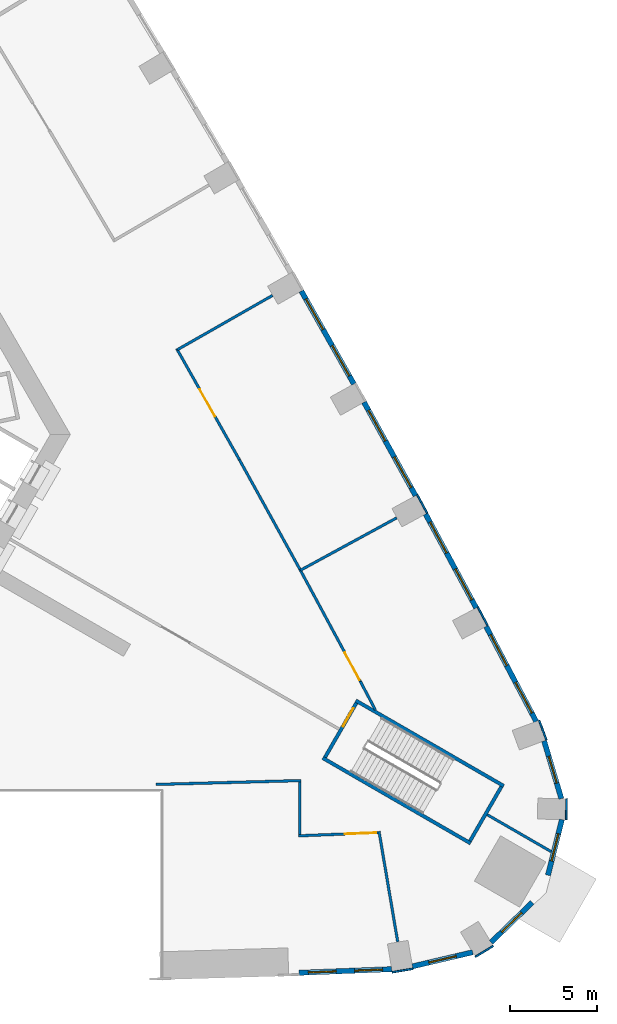
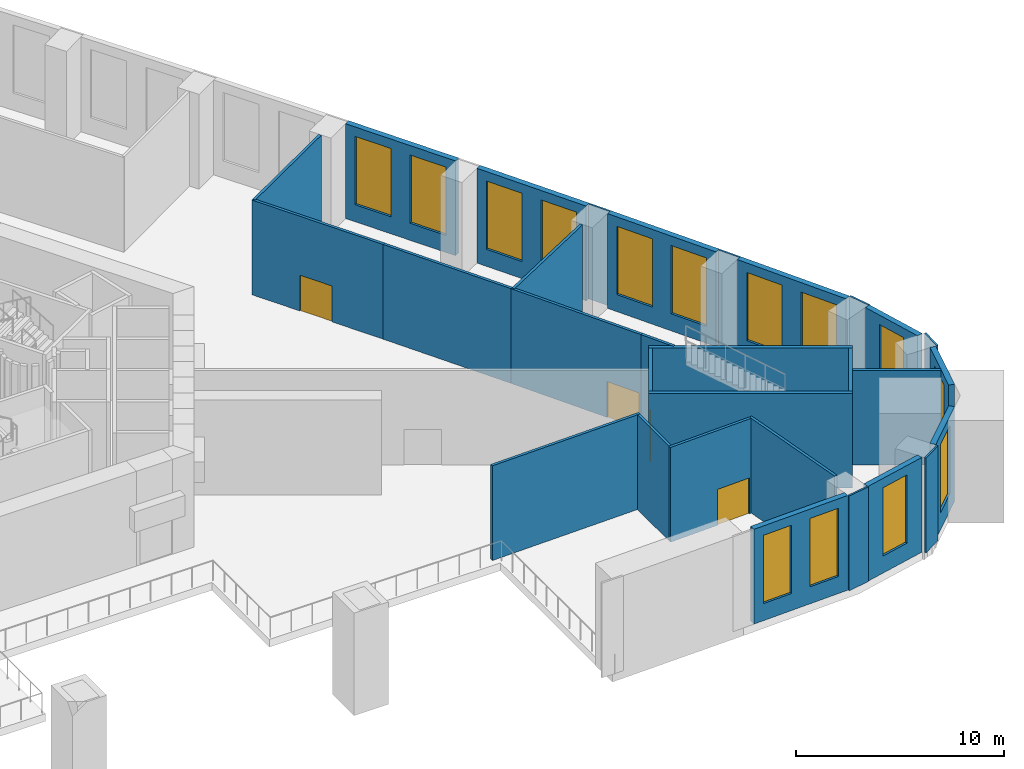
# One storey, part 7 of 15: 30 walls, 14 windows, 4 doors, 18 openings.
"""IFC4 building model written with IfcOpenShell, lengths in metres."""

from ifc_helpers import new_model, si_unit, direction, frame, frame_2d, origin, place, context, subcontext, project, spatial, rectangle, extrude, material, layer, layer_set, type_object, element, fill, save


model = new_model("IFC4")

# Units and contexts
model_context = context("Model", 3, precision=1e-05, world=origin(), true_north=direction((0.0, 1.0)))
body_context = subcontext(model_context, "Body", "Model", "MODEL_VIEW")
ifc_project = project(units=[si_unit("LENGTHUNIT", "METRE"), si_unit("AREAUNIT", "SQUARE_METRE"), si_unit("VOLUMEUNIT", "CUBIC_METRE"), si_unit("PLANEANGLEUNIT", "RADIAN"), si_unit("MASSUNIT", "GRAM", prefix="KILO")], contexts=[model_context])

# Site, building, storey
site_placement = place(None, origin())
site = spatial("IfcSite", under=ifc_project, at=site_placement, CompositionType="ELEMENT")
building_placement = place(site_placement, origin())
building = spatial("IfcBuilding", under=site, at=building_placement, Name="Entoto Arch Interchange Tower", CompositionType="ELEMENT")
storey_placement = place(building_placement, frame((0.0, 0.0, 9.0)))
storey = spatial("IfcBuildingStorey", under=building, at=storey_placement, Name="L01", CompositionType="ELEMENT", Elevation=9.0)

# Walls
ifc_material_1 = material(Name="Gypsum board partition on steel studs", Category="steel")
ifc_layer_1 = layer(ifc_material_1, 0.14990234375)
ifc_layer_set_1 = layer_set([ifc_layer_1], Name="Gypsum board partition on steel studs")
wall_type_1 = type_object("IfcWallType", Name="PARTITION 150", PredefinedType="PARTITIONING", material=ifc_layer_set_1)
wall_1_placement = place(storey_placement, frame((18.757080078125, -17.56494140625, 0.0), z_axis=(0.0, 0.0, 1.0), x_axis=(0.999650499667, 0.026436310543, 0.0)))
element("IfcWall", 1, at=wall_1_placement, inside=storey, type_object=wall_type_1, Name="wall:L01:p036", PredefinedType="PARTITIONING", context=body_context, shape_type="SweptSolid", body=[
    extrude(rectangle(XDim=8.32080078125, YDim=0.14990234375, at=frame_2d((4.160400390625, 0.0))), origin(), (0.0, 0.0, 1.0), 5.550048828125),
])
wall_2_placement = place(storey_placement, frame((27.0, -17.422119140625, 0.0), z_axis=(0.0, 0.0, 1.0), x_axis=(0.0, -1.0, 0.0)))
element("IfcWall", 2, at=wall_2_placement, inside=storey, type_object=wall_type_1, Name="wall:L01:p037", PredefinedType="PARTITIONING", context=body_context, shape_type="SweptSolid", body=[
    extrude(rectangle(XDim=3.011962890625, YDim=0.14990234375, at=frame_2d((1.505859375, 0.0))), origin(), (0.0, 0.0, 1.0), 5.550048828125),
])

# Wall, opening, door
wall_3_placement = place(storey_placement, frame((26.925048828125, -20.511962890625, 0.0), z_axis=(0.0, 0.0, 1.0), x_axis=(0.99923281192, 0.039163600211, 0.0)))
wall_3 = element("IfcWall", 3, at=wall_3_placement, inside=storey, type_object=wall_type_1, Name="wall:L01:p038", PredefinedType="PARTITIONING", context=body_context, shape_type="SweptSolid", body=[
    extrude(rectangle(XDim=4.5693359375, YDim=0.14990234375, at=frame_2d((2.28466796875, 0.0))), origin(), (0.0, 0.0, 1.0), 5.550048828125),
])
opening_1_placement = place(wall_3_placement, frame((2.669921875, 0.0, 0.0)))
opening_1 = element("IfcOpeningElement", 4, at=opening_1_placement, cuts=wall_3, Name="Opening L01-D05", PredefinedType="OPENING", context=body_context, shape_type="SweptSolid", body=[
    extrude(rectangle(XDim=1.800048828125, YDim=2.10009765625, at=frame_2d((0.89990234375, 1.050048828125))), frame((0.0, 0.0849609375, 0.0), z_axis=(0.0, -1.0, 0.0), x_axis=(1.0, 0.0, 0.0)), (0.0, 0.0, 1.0), 0.169921875),
])
ifc_material_2 = material(Name="Timber door leaf in Steel S235 frame", Category="steel")
door_type_1 = type_object("IfcDoorType", Name="DOOR DD-18 1800x2100", OperationType="DOUBLE_DOOR_SINGLE_SWING", PredefinedType="DOOR", material=ifc_material_2)
door_1_placement = place(opening_1_placement, origin())
door_1 = element("IfcDoor", 5, at=door_1_placement, inside=storey, type_object=door_type_1, Name="door:L01:05", OperationType="DOUBLE_DOOR_SINGLE_SWING", OverallHeight=2.10009765625, OverallWidth=1.800048828125, PredefinedType="DOOR", context=body_context, shape_type="SweptSolid", body=[
    extrude(rectangle(XDim=1.800048828125, YDim=2.10009765625, at=frame_2d((0.89990234375, 1.050048828125))), frame((0.0, 0.02490234375, 0.0), z_axis=(0.0, -1.0, 0.0), x_axis=(1.0, 0.0, 0.0)), (0.0, 0.0, 1.0), 0.050048828125),
])
fill(opening_1, door_1)

# Walls
wall_4_placement = place(storey_placement, frame((31.552978515625, -20.256103515625, 0.0), z_axis=(0.0, 0.0, 1.0), x_axis=(0.16693222012, -0.985968373674, 0.0)))
element("IfcWall", 6, at=wall_4_placement, inside=storey, type_object=wall_type_1, Name="wall:L01:p039", PredefinedType="PARTITIONING", context=body_context, shape_type="SweptSolid", body=[
    extrude(rectangle(XDim=6.421875, YDim=0.14990234375, at=frame_2d((3.2109375, 0.0))), origin(), (0.0, 0.0, 1.0), 5.550048828125),
])
wall_5_placement = place(storey_placement, frame((27.047119140625, -5.283935546875, 0.0), z_axis=(0.0, 0.0, 1.0), x_axis=(0.878278583626, 0.478149275377, 0.0)))
element("IfcWall", 7, at=wall_5_placement, inside=storey, type_object=wall_type_1, Name="wall:L01:p040", PredefinedType="PARTITIONING", context=body_context, shape_type="SweptSolid", body=[
    extrude(rectangle(XDim=6.2802734375, YDim=0.14990234375, at=frame_2d((3.14013671875, 0.0))), origin(), (0.0, 0.0, 1.0), 5.550048828125),
])
wall_6_placement = place(storey_placement, frame((41.427001953125, -21.41796875, 0.0), z_axis=(0.0, 0.0, 1.0), x_axis=(-0.866003200133, 0.500038455881, 0.0)))
element("IfcWall", 8, at=wall_6_placement, inside=storey, type_object=wall_type_1, Name="wall:L01:p041", PredefinedType="PARTITIONING", context=body_context, shape_type="SweptSolid", body=[
    extrude(rectangle(XDim=4.235595703125, YDim=0.14990234375, at=frame_2d((2.11767578125, 0.0))), origin(), (0.0, 0.0, 1.0), 5.550048828125),
])
wall_7_placement = place(storey_placement, frame((31.341064453125, -13.284912109375, 0.0), z_axis=(0.0, 0.0, 1.0), x_axis=(-0.466164290517, 0.884698171269, 0.0)))
element("IfcWall", 9, at=wall_7_placement, inside=storey, type_object=wall_type_1, Name="wall:L01:p042", PredefinedType="PARTITIONING", context=body_context, shape_type="SweptSolid", body=[
    extrude(rectangle(XDim=1.829833984375, YDim=0.14990234375, at=frame_2d((0.9150390625, 0.0))), origin(), (0.0, 0.0, 1.0), 5.550048828125),
])

# Wall, opening, door
wall_8_placement = place(storey_placement, frame((30.488037109375, -11.666015625, 0.0), z_axis=(0.0, 0.0, 1.0), x_axis=(-0.474672609217, 0.880162436178, 0.0)))
wall_8 = element("IfcWall", 10, at=wall_8_placement, inside=storey, type_object=wall_type_1, Name="wall:L01:p043", PredefinedType="PARTITIONING", context=body_context, shape_type="SweptSolid", body=[
    extrude(rectangle(XDim=7.319091796875, YDim=0.14990234375, at=frame_2d((3.65966796875, 0.0))), origin(), (0.0, 0.0, 1.0), 5.550048828125),
])
opening_2_placement = place(wall_8_placement, frame((0.10009765625, 0.0, 0.0)))
opening_2 = element("IfcOpeningElement", 11, at=opening_2_placement, cuts=wall_8, Name="Opening L01-D06", PredefinedType="OPENING", context=body_context, shape_type="SweptSolid", body=[
    extrude(rectangle(XDim=1.800048828125, YDim=2.10009765625, at=frame_2d((0.89990234375, 1.050048828125))), frame((0.0, 0.0849609375, 0.0), z_axis=(0.0, -1.0, 0.0), x_axis=(1.0, 0.0, 0.0)), (0.0, 0.0, 1.0), 0.169921875),
])
door_2_placement = place(opening_2_placement, origin())
door_2 = element("IfcDoor", 12, at=door_2_placement, inside=storey, type_object=door_type_1, Name="door:L01:06", OperationType="DOUBLE_DOOR_SINGLE_SWING", OverallHeight=2.10009765625, OverallWidth=1.800048828125, PredefinedType="DOOR", context=body_context, shape_type="SweptSolid", body=[
    extrude(rectangle(XDim=1.800048828125, YDim=2.10009765625, at=frame_2d((0.89990234375, 1.050048828125))), frame((0.0, 0.02490234375, 0.0), z_axis=(0.0, -1.0, 0.0), x_axis=(1.0, 0.0, 0.0)), (0.0, 0.0, 1.0), 0.050048828125),
])
fill(opening_2, door_2)

# Wall
wall_9_placement = place(storey_placement, frame((27.013916015625, -5.22412109375, 0.0), z_axis=(0.0, 0.0, 1.0), x_axis=(-0.483261020847, 0.875476319343, 0.0)))
element("IfcWall", 13, at=wall_9_placement, inside=storey, type_object=wall_type_1, Name="wall:L01:p044", PredefinedType="PARTITIONING", context=body_context, shape_type="SweptSolid", body=[
    extrude(rectangle(XDim=7.167724609375, YDim=0.14990234375, at=frame_2d((3.583984375, 0.0))), origin(), (0.0, 0.0, 1.0), 5.550048828125),
])

# Wall, opening, door
wall_10_placement = place(storey_placement, frame((23.550048828125, 1.051025390625, 0.0), z_axis=(0.0, 0.0, 1.0), x_axis=(-0.491584576708, 0.870829836388, 0.0)))
wall_10 = element("IfcWall", 14, at=wall_10_placement, inside=storey, type_object=wall_type_1, Name="wall:L01:p045", PredefinedType="PARTITIONING", context=body_context, shape_type="SweptSolid", body=[
    extrude(rectangle(XDim=7.319580078125, YDim=0.14990234375, at=frame_2d((3.65966796875, 0.0))), origin(), (0.0, 0.0, 1.0), 5.550048828125),
])
opening_3_placement = place(wall_10_placement, frame((2.843017578125, 0.0, 0.0)))
opening_3 = element("IfcOpeningElement", 15, at=opening_3_placement, cuts=wall_10, Name="Opening L01-D07", PredefinedType="OPENING", context=body_context, shape_type="SweptSolid", body=[
    extrude(rectangle(XDim=1.800048828125, YDim=2.10009765625, at=frame_2d((0.89990234375, 1.050048828125))), frame((0.0, 0.0849609375, 0.0), z_axis=(0.0, -1.0, 0.0), x_axis=(1.0, 0.0, 0.0)), (0.0, 0.0, 1.0), 0.169921875),
])
door_3_placement = place(opening_3_placement, origin())
door_3 = element("IfcDoor", 16, at=door_3_placement, inside=storey, type_object=door_type_1, Name="door:L01:07", OperationType="DOUBLE_DOOR_SINGLE_SWING", OverallHeight=2.10009765625, OverallWidth=1.800048828125, PredefinedType="DOOR", context=body_context, shape_type="SweptSolid", body=[
    extrude(rectangle(XDim=1.800048828125, YDim=2.10009765625, at=frame_2d((0.89990234375, 1.050048828125))), frame((0.0, 0.02490234375, 0.0), z_axis=(0.0, -1.0, 0.0), x_axis=(1.0, 0.0, 0.0)), (0.0, 0.0, 1.0), 0.050048828125),
])
fill(opening_3, door_3)

# Walls
wall_11_placement = place(storey_placement, frame((19.989013671875, 7.361083984375, 0.0), z_axis=(0.0, 0.0, 1.0), x_axis=(0.868573128473, 0.495561015914, 0.0)))
element("IfcWall", 17, at=wall_11_placement, inside=storey, type_object=wall_type_1, Name="wall:L01:p046", PredefinedType="PARTITIONING", context=body_context, shape_type="SweptSolid", body=[
    extrude(rectangle(XDim=6.279296875, YDim=0.14990234375, at=frame_2d((3.1396484375, 0.0))), origin(), (0.0, 0.0, 1.0), 5.550048828125),
])
ifc_material_3 = material(Name="Concrete C40/50", Category="concrete")
ifc_layer_2 = layer(ifc_material_3, 0.199951171875)
ifc_layer_set_2 = layer_set([ifc_layer_2], Name="Concrete C40/50")
wall_type_2 = type_object("IfcWallType", Name="STAIR ENCLOSURE WALL 200", PredefinedType="STANDARD", material=ifc_layer_set_2)
for number, where, z_axis, x_axis, name in (
    (18, (28.322021484375, -16.044921875, 0.0), (0.0, 0.0, 1.0), (0.866019227021, -0.500010698315, 0.0), "Stair wall PST-SE left"),
    (19, (30.221923828125, -12.7548828125, 0.0), (0.0, 0.0, 1.0), (0.866019227021, -0.500010698315, 0.0), "Stair wall PST-SE right"),
):
    element("IfcWall", number, at=place(storey_placement, frame(where, z_axis=z_axis, x_axis=x_axis)), inside=storey, type_object=wall_type_2, Name=name, PredefinedType="STANDARD", context=body_context, shape_type="SweptSolid", body=[
        extrude(rectangle(XDim=9.800048828125, YDim=0.199951171875, at=frame_2d((4.89990234375, 0.0))), origin(), (0.0, 0.0, 1.0), 5.550048828125),
    ])

# Wall, opening, door
wall_12_placement = place(storey_placement, frame((28.4580078125, -16.009033203125, 0.0), z_axis=(0.0, 0.0, 1.0), x_axis=(0.499982693035, 0.866035395735, 0.0)))
wall_12 = element("IfcWall", 20, at=wall_12_placement, inside=storey, type_object=wall_type_2, Name="Stair wall PST-SE near", PredefinedType="STANDARD", context=body_context, shape_type="SweptSolid", body=[
    extrude(rectangle(XDim=3.600341796875, YDim=0.199951171875, at=frame_2d((1.80029296875, 0.0))), origin(), (0.0, 0.0, 1.0), 5.550048828125),
])
opening_4_placement = place(wall_12_placement, frame((2.050048828125, 0.0, 0.0)))
opening_4 = element("IfcOpeningElement", 21, at=opening_4_placement, cuts=wall_12, Name="Opening SD-PST-SE-L01", PredefinedType="OPENING", context=body_context, shape_type="SweptSolid", body=[
    extrude(rectangle(XDim=1.199951171875, YDim=2.199951171875, at=frame_2d((0.60009765625, 1.10009765625))), frame((0.0, 0.10986328125, 0.0), z_axis=(0.0, -1.0, 0.0), x_axis=(1.0, 0.0, 0.0)), (0.0, 0.0, 1.0), 0.219970703125),
])
ifc_material_4 = material(Name="Steel S235", Category="steel")
door_type_2 = type_object("IfcDoorType", Name="STAIR DOOR SD2 1200x2200", OperationType="SINGLE_SWING_LEFT", PredefinedType="DOOR", material=ifc_material_4)
door_4_placement = place(opening_4_placement, origin())
door_4 = element("IfcDoor", 22, at=door_4_placement, inside=storey, type_object=door_type_2, Name="Stair door PST-SE L01", OperationType="SINGLE_SWING_LEFT", OverallHeight=2.199951171875, OverallWidth=1.199951171875, PredefinedType="DOOR", context=body_context, shape_type="SweptSolid", body=[
    extrude(rectangle(XDim=1.199951171875, YDim=2.199951171875, at=frame_2d((0.60009765625, 1.10009765625))), frame((0.0, 0.02490234375, 0.0), z_axis=(0.0, -1.0, 0.0), x_axis=(1.0, 0.0, 0.0)), (0.0, 0.0, 1.0), 0.050048828125),
])
fill(opening_4, door_4)

# Wall
wall_13_placement = place(storey_placement, frame((36.77197265625, -20.80908203125, 0.0), z_axis=(0.0, 0.0, 1.0), x_axis=(0.49995333141, 0.866052346231, 0.0)))
element("IfcWall", 23, at=wall_13_placement, inside=storey, type_object=wall_type_2, Name="Stair wall PST-SE far", PredefinedType="STANDARD", context=body_context, shape_type="SweptSolid", body=[
    extrude(rectangle(XDim=3.600341796875, YDim=0.199951171875, at=frame_2d((1.80029296875, 0.0))), origin(), (0.0, 0.0, 1.0), 5.550048828125),
])

# Wall, openings, windows
ifc_material_5 = material(Name="Welded tuff (ignimbrite) cladding, warm buff", Category="masonry")
ifc_layer_3 = layer(ifc_material_5, 0.300048828125)
ifc_layer_set_3 = layer_set([ifc_layer_3], Name="Welded tuff (ignimbrite) cladding, warm buff")
wall_type_3 = type_object("IfcWallType", Name="STONE INFILL WALL 300", PredefinedType="STANDARD", material=ifc_layer_set_3)
wall_14_placement = place(storey_placement, frame((26.969970703125, -28.366943359375, 0.0), z_axis=(0.0, 0.0, 1.0), x_axis=(0.999234205654, 0.039128023863, 0.0)))
wall_14 = element("IfcWall", 24, at=wall_14_placement, inside=storey, type_object=wall_type_3, Name="Facade wall S-05 L01", PredefinedType="STANDARD", context=body_context, shape_type="SweptSolid", body=[
    extrude(rectangle(XDim=5.316162109375, YDim=0.300048828125, at=frame_2d((2.658203125, 0.0))), origin(), (0.0, 0.0, 1.0), 5.550048828125),
])
opening_5_placement = place(wall_14_placement, frame((0.529052734375, 0.0, 1.0)))
opening_5 = element("IfcOpeningElement", 25, at=opening_5_placement, cuts=wall_14, Name="Opening WP-D", PredefinedType="OPENING", context=body_context, shape_type="SweptSolid", body=[
    extrude(rectangle(XDim=1.60009765625, YDim=4.0, at=frame_2d((0.800048828125, 2.0))), frame((0.0, 0.16015625, 0.0), z_axis=(0.0, -1.0, 0.0), x_axis=(1.0, 0.0, 0.0)), (0.0, 0.0, 1.0), 0.320068359375),
])
opening_6_placement = place(wall_14_placement, frame((3.18701171875, 0.0, 1.0)))
opening_6 = element("IfcOpeningElement", 26, at=opening_6_placement, cuts=wall_14, Name="Opening WP-D", PredefinedType="OPENING", context=body_context, shape_type="SweptSolid", body=[
    extrude(rectangle(XDim=1.60009765625, YDim=4.0, at=frame_2d((0.800048828125, 2.0))), frame((0.0, 0.16015625, 0.0), z_axis=(0.0, -1.0, 0.0), x_axis=(1.0, 0.0, 0.0)), (0.0, 0.0, 1.0), 0.320068359375),
])
ifc_material_6 = material(Name="Clear glass, low-e double glazed", Category="glass")
window_type_1 = type_object("IfcWindowType", Name="WINDOW WP-D 1600x4000", PartitioningType="DOUBLE_PANEL_VERTICAL", PredefinedType="WINDOW", material=ifc_material_6)
window_1_placement = place(opening_5_placement, origin())
window_1 = element("IfcWindow", 27, at=window_1_placement, inside=storey, type_object=window_type_1, Name="Window WP-D S-05 L01", OverallHeight=4.0, OverallWidth=1.60009765625, PartitioningType="SINGLE_PANEL", PredefinedType="WINDOW", context=body_context, shape_type="SweptSolid", body=[
    extrude(rectangle(XDim=1.60009765625, YDim=4.0, at=frame_2d((0.800048828125, 2.0))), frame((0.0, 0.030029296875, 0.0), z_axis=(0.0, -1.0, 0.0), x_axis=(1.0, 0.0, 0.0)), (0.0, 0.0, 1.0), 0.06005859375),
])
fill(opening_5, window_1)
window_2_placement = place(opening_6_placement, origin())
window_2 = element("IfcWindow", 28, at=window_2_placement, inside=storey, type_object=window_type_1, Name="Window WP-D S-05 L01", OverallHeight=4.0, OverallWidth=1.60009765625, PartitioningType="SINGLE_PANEL", PredefinedType="WINDOW", context=body_context, shape_type="SweptSolid", body=[
    extrude(rectangle(XDim=1.60009765625, YDim=4.0, at=frame_2d((0.800048828125, 2.0))), frame((0.0, 0.030029296875, 0.0), z_axis=(0.0, -1.0, 0.0), x_axis=(1.0, 0.0, 0.0)), (0.0, 0.0, 1.0), 0.06005859375),
])
fill(opening_6, window_2)

# Wall, opening, window
wall_15_placement = place(storey_placement, frame((33.469970703125, -27.9990234375, 0.0), z_axis=(0.0, 0.0, 1.0), x_axis=(0.97357041301, 0.228387063799, 0.0)))
wall_15 = element("IfcWall", 29, at=wall_15_placement, inside=storey, type_object=wall_type_3, Name="Facade wall SE-01 L01", PredefinedType="STANDARD", context=body_context, shape_type="SweptSolid", body=[
    extrude(rectangle(XDim=3.546875, YDim=0.300048828125, at=frame_2d((1.7734375, 0.0))), origin(), (0.0, 0.0, 1.0), 5.550048828125),
])
opening_7_placement = place(wall_15_placement, frame((0.972900390625, 0.0, 1.0)))
opening_7 = element("IfcOpeningElement", 30, at=opening_7_placement, cuts=wall_15, Name="Opening WP-D", PredefinedType="OPENING", context=body_context, shape_type="SweptSolid", body=[
    extrude(rectangle(XDim=1.60009765625, YDim=4.0, at=frame_2d((0.800048828125, 2.0))), frame((0.0, 0.16015625, 0.0), z_axis=(0.0, -1.0, 0.0), x_axis=(1.0, 0.0, 0.0)), (0.0, 0.0, 1.0), 0.320068359375),
])
window_3_placement = place(opening_7_placement, origin())
window_3 = element("IfcWindow", 31, at=window_3_placement, inside=storey, type_object=window_type_1, Name="Window WP-D SE-01 L01", OverallHeight=4.0, OverallWidth=1.60009765625, PartitioningType="SINGLE_PANEL", PredefinedType="WINDOW", context=body_context, shape_type="SweptSolid", body=[
    extrude(rectangle(XDim=1.60009765625, YDim=4.0, at=frame_2d((0.800048828125, 2.0))), frame((0.0, 0.030029296875, 0.0), z_axis=(0.0, -1.0, 0.0), x_axis=(1.0, 0.0, 0.0)), (0.0, 0.0, 1.0), 0.06005859375),
])
fill(opening_7, window_3)

wall_16_placement = place(storey_placement, frame((37.97998046875, -26.62109375, 0.0), z_axis=(0.0, 0.0, 1.0), x_axis=(0.717527250225, 0.696530433782, 0.0)))
wall_16 = element("IfcWall", 32, at=wall_16_placement, inside=storey, type_object=wall_type_3, Name="Facade wall SE-02 L01", PredefinedType="STANDARD", context=body_context, shape_type="SweptSolid", body=[
    extrude(rectangle(XDim=3.29052734375, YDim=0.300048828125, at=frame_2d((1.645263671875, 0.0))), origin(), (0.0, 0.0, 1.0), 5.550048828125),
])
opening_8_placement = place(wall_16_placement, frame((0.844970703125, 0.0, 1.0)))
opening_8 = element("IfcOpeningElement", 33, at=opening_8_placement, cuts=wall_16, Name="Opening WP-D", PredefinedType="OPENING", context=body_context, shape_type="SweptSolid", body=[
    extrude(rectangle(XDim=1.60009765625, YDim=4.0, at=frame_2d((0.800048828125, 2.0))), frame((0.0, 0.16015625, 0.0), z_axis=(0.0, -1.0, 0.0), x_axis=(1.0, 0.0, 0.0)), (0.0, 0.0, 1.0), 0.320068359375),
])
window_4_placement = place(opening_8_placement, origin())
window_4 = element("IfcWindow", 34, at=window_4_placement, inside=storey, type_object=window_type_1, Name="Window WP-D SE-02 L01", OverallHeight=4.0, OverallWidth=1.60009765625, PartitioningType="SINGLE_PANEL", PredefinedType="WINDOW", context=body_context, shape_type="SweptSolid", body=[
    extrude(rectangle(XDim=1.60009765625, YDim=4.0, at=frame_2d((0.800048828125, 2.0))), frame((0.0, 0.030029296875, 0.0), z_axis=(0.0, -1.0, 0.0), x_axis=(1.0, 0.0, 0.0)), (0.0, 0.0, 1.0), 0.06005859375),
])
fill(opening_8, window_4)

wall_17_placement = place(storey_placement, frame((41.239990234375, -22.77197265625, 0.0), z_axis=(0.0, 0.0, 1.0), x_axis=(0.244315836028, 0.969695711172, 0.0)))
wall_17 = element("IfcWall", 35, at=wall_17_placement, inside=storey, type_object=wall_type_3, Name="Facade wall SE-03 L01", PredefinedType="STANDARD", context=body_context, shape_type="SweptSolid", body=[
    extrude(rectangle(XDim=3.29052734375, YDim=0.300048828125, at=frame_2d((1.645263671875, 0.0))), origin(), (0.0, 0.0, 1.0), 5.550048828125),
])
opening_9_placement = place(wall_17_placement, frame((0.844970703125, 0.0, 1.0)))
opening_9 = element("IfcOpeningElement", 36, at=opening_9_placement, cuts=wall_17, Name="Opening WP-D", PredefinedType="OPENING", context=body_context, shape_type="SweptSolid", body=[
    extrude(rectangle(XDim=1.60009765625, YDim=4.0, at=frame_2d((0.800048828125, 2.0))), frame((0.0, 0.16015625, 0.0), z_axis=(0.0, -1.0, 0.0), x_axis=(1.0, 0.0, 0.0)), (0.0, 0.0, 1.0), 0.320068359375),
])
window_5_placement = place(opening_9_placement, origin())
window_5 = element("IfcWindow", 37, at=window_5_placement, inside=storey, type_object=window_type_1, Name="Window WP-D SE-03 L01", OverallHeight=4.0, OverallWidth=1.60009765625, PartitioningType="SINGLE_PANEL", PredefinedType="WINDOW", context=body_context, shape_type="SweptSolid", body=[
    extrude(rectangle(XDim=1.60009765625, YDim=4.0, at=frame_2d((0.800048828125, 2.0))), frame((0.0, 0.030029296875, 0.0), z_axis=(0.0, -1.0, 0.0), x_axis=(1.0, 0.0, 0.0)), (0.0, 0.0, 1.0), 0.06005859375),
])
fill(opening_9, window_5)

wall_18_placement = place(storey_placement, frame((42.010986328125, -18.382080078125, 0.0), z_axis=(0.0, 0.0, 1.0), x_axis=(-0.285800575124, 0.958289116738, 0.0)))
wall_18 = element("IfcWall", 38, at=wall_18_placement, inside=storey, type_object=wall_type_3, Name="Facade wall SE-04 L01", PredefinedType="STANDARD", context=body_context, shape_type="SweptSolid", body=[
    extrude(rectangle(XDim=3.46044921875, YDim=0.300048828125, at=frame_2d((1.730224609375, 0.0))), origin(), (0.0, 0.0, 1.0), 5.550048828125),
])
opening_10_placement = place(wall_18_placement, frame((0.929931640625, 0.0, 1.0)))
opening_10 = element("IfcOpeningElement", 39, at=opening_10_placement, cuts=wall_18, Name="Opening WP-D", PredefinedType="OPENING", context=body_context, shape_type="SweptSolid", body=[
    extrude(rectangle(XDim=1.60009765625, YDim=4.0, at=frame_2d((0.800048828125, 2.0))), frame((0.0, 0.16015625, 0.0), z_axis=(0.0, -1.0, 0.0), x_axis=(1.0, 0.0, 0.0)), (0.0, 0.0, 1.0), 0.320068359375),
])
window_6_placement = place(opening_10_placement, origin())
window_6 = element("IfcWindow", 40, at=window_6_placement, inside=storey, type_object=window_type_1, Name="Window WP-D SE-04 L01", OverallHeight=4.0, OverallWidth=1.60009765625, PartitioningType="SINGLE_PANEL", PredefinedType="WINDOW", context=body_context, shape_type="SweptSolid", body=[
    extrude(rectangle(XDim=1.60009765625, YDim=4.0, at=frame_2d((0.800048828125, 2.0))), frame((0.0, 0.030029296875, 0.0), z_axis=(0.0, -1.0, 0.0), x_axis=(1.0, 0.0, 0.0)), (0.0, 0.0, 1.0), 0.06005859375),
])
fill(opening_10, window_6)

# Wall, openings, windows
wall_19_placement = place(storey_placement, frame((40.568115234375, -13.9560546875, 0.0), z_axis=(0.0, 0.0, 1.0), x_axis=(-0.466125129602, 0.884718804792, 0.0)))
wall_19 = element("IfcWall", 41, at=wall_19_placement, inside=storey, type_object=wall_type_3, Name="Facade wall NE-01 L01", PredefinedType="STANDARD", context=body_context, shape_type="SweptSolid", body=[
    extrude(rectangle(XDim=6.16357421875, YDim=0.300048828125, at=frame_2d((3.081787109375, 0.0))), origin(), (0.0, 0.0, 1.0), 5.550048828125),
])
opening_11_placement = place(wall_19_placement, frame((0.541015625, 0.0, 1.0)))
opening_11 = element("IfcOpeningElement", 42, at=opening_11_placement, cuts=wall_19, Name="Opening WP-F", PredefinedType="OPENING", context=body_context, shape_type="SweptSolid", body=[
    extrude(rectangle(XDim=2.0, YDim=4.0, at=frame_2d((1.0, 2.0))), frame((0.0, 0.16015625, 0.0), z_axis=(0.0, -1.0, 0.0), x_axis=(1.0, 0.0, 0.0)), (0.0, 0.0, 1.0), 0.320068359375),
])
opening_12_placement = place(wall_19_placement, frame((3.623046875, 0.0, 1.0)))
opening_12 = element("IfcOpeningElement", 43, at=opening_12_placement, cuts=wall_19, Name="Opening WP-F", PredefinedType="OPENING", context=body_context, shape_type="SweptSolid", body=[
    extrude(rectangle(XDim=2.0, YDim=4.0, at=frame_2d((1.0, 2.0))), frame((0.0, 0.16015625, 0.0), z_axis=(0.0, -1.0, 0.0), x_axis=(1.0, 0.0, 0.0)), (0.0, 0.0, 1.0), 0.320068359375),
])
window_type_2 = type_object("IfcWindowType", Name="WINDOW WP-F 2000x4000", PartitioningType="DOUBLE_PANEL_VERTICAL", PredefinedType="WINDOW", material=ifc_material_6)
window_7_placement = place(opening_11_placement, origin())
window_7 = element("IfcWindow", 44, at=window_7_placement, inside=storey, type_object=window_type_2, Name="Window WP-F NE-01 L01", OverallHeight=4.0, OverallWidth=2.0, PartitioningType="SINGLE_PANEL", PredefinedType="WINDOW", context=body_context, shape_type="SweptSolid", body=[
    extrude(rectangle(XDim=2.0, YDim=4.0, at=frame_2d((1.0, 2.0))), frame((0.0, 0.030029296875, 0.0), z_axis=(0.0, -1.0, 0.0), x_axis=(1.0, 0.0, 0.0)), (0.0, 0.0, 1.0), 0.06005859375),
])
fill(opening_11, window_7)
window_8_placement = place(opening_12_placement, origin())
window_8 = element("IfcWindow", 45, at=window_8_placement, inside=storey, type_object=window_type_2, Name="Window WP-F NE-01 L01", OverallHeight=4.0, OverallWidth=2.0, PartitioningType="SINGLE_PANEL", PredefinedType="WINDOW", context=body_context, shape_type="SweptSolid", body=[
    extrude(rectangle(XDim=2.0, YDim=4.0, at=frame_2d((1.0, 2.0))), frame((0.0, 0.030029296875, 0.0), z_axis=(0.0, -1.0, 0.0), x_axis=(1.0, 0.0, 0.0)), (0.0, 0.0, 1.0), 0.06005859375),
])
fill(opening_12, window_8)

wall_20_placement = place(storey_placement, frame((37.131103515625, -7.446044921875, 0.0), z_axis=(0.0, 0.0, 1.0), x_axis=(-0.474584950749, 0.880209704856, 0.0)))
wall_20 = element("IfcWall", 46, at=wall_20_placement, inside=storey, type_object=wall_type_3, Name="Facade wall NE-02 L01", PredefinedType="STANDARD", context=body_context, shape_type="SweptSolid", body=[
    extrude(rectangle(XDim=6.12109375, YDim=0.300048828125, at=frame_2d((3.060546875, 0.0))), origin(), (0.0, 0.0, 1.0), 5.550048828125),
])
opening_13_placement = place(wall_20_placement, frame((0.530029296875, 0.0, 1.0)))
opening_13 = element("IfcOpeningElement", 47, at=opening_13_placement, cuts=wall_20, Name="Opening WP-F", PredefinedType="OPENING", context=body_context, shape_type="SweptSolid", body=[
    extrude(rectangle(XDim=2.0, YDim=4.0, at=frame_2d((1.0, 2.0))), frame((0.0, 0.16015625, 0.0), z_axis=(0.0, -1.0, 0.0), x_axis=(1.0, 0.0, 0.0)), (0.0, 0.0, 1.0), 0.320068359375),
])
opening_14_placement = place(wall_20_placement, frame((3.591064453125, 0.0, 1.0)))
opening_14 = element("IfcOpeningElement", 48, at=opening_14_placement, cuts=wall_20, Name="Opening WP-F", PredefinedType="OPENING", context=body_context, shape_type="SweptSolid", body=[
    extrude(rectangle(XDim=2.0, YDim=4.0, at=frame_2d((1.0, 2.0))), frame((0.0, 0.16015625, 0.0), z_axis=(0.0, -1.0, 0.0), x_axis=(1.0, 0.0, 0.0)), (0.0, 0.0, 1.0), 0.320068359375),
])
window_9_placement = place(opening_13_placement, origin())
window_9 = element("IfcWindow", 49, at=window_9_placement, inside=storey, type_object=window_type_2, Name="Window WP-F NE-02 L01", OverallHeight=4.0, OverallWidth=2.0, PartitioningType="SINGLE_PANEL", PredefinedType="WINDOW", context=body_context, shape_type="SweptSolid", body=[
    extrude(rectangle(XDim=2.0, YDim=4.0, at=frame_2d((1.0, 2.0))), frame((0.0, 0.030029296875, 0.0), z_axis=(0.0, -1.0, 0.0), x_axis=(1.0, 0.0, 0.0)), (0.0, 0.0, 1.0), 0.06005859375),
])
fill(opening_13, window_9)
window_10_placement = place(opening_14_placement, origin())
window_10 = element("IfcWindow", 50, at=window_10_placement, inside=storey, type_object=window_type_2, Name="Window WP-F NE-02 L01", OverallHeight=4.0, OverallWidth=2.0, PartitioningType="SINGLE_PANEL", PredefinedType="WINDOW", context=body_context, shape_type="SweptSolid", body=[
    extrude(rectangle(XDim=2.0, YDim=4.0, at=frame_2d((1.0, 2.0))), frame((0.0, 0.030029296875, 0.0), z_axis=(0.0, -1.0, 0.0), x_axis=(1.0, 0.0, 0.0)), (0.0, 0.0, 1.0), 0.06005859375),
])
fill(opening_14, window_10)

wall_21_placement = place(storey_placement, frame((33.652099609375, -1.006103515625, 0.0), z_axis=(0.0, 0.0, 1.0), x_axis=(-0.483233380559, 0.875491576152, 0.0)))
wall_21 = element("IfcWall", 51, at=wall_21_placement, inside=storey, type_object=wall_type_3, Name="Facade wall NE-03 L01", PredefinedType="STANDARD", context=body_context, shape_type="SweptSolid", body=[
    extrude(rectangle(XDim=6.121337890625, YDim=0.300048828125, at=frame_2d((3.060546875, 0.0))), origin(), (0.0, 0.0, 1.0), 5.550048828125),
])
opening_15_placement = place(wall_21_placement, frame((0.530029296875, 0.0, 1.0)))
opening_15 = element("IfcOpeningElement", 52, at=opening_15_placement, cuts=wall_21, Name="Opening WP-F", PredefinedType="OPENING", context=body_context, shape_type="SweptSolid", body=[
    extrude(rectangle(XDim=2.0, YDim=4.0, at=frame_2d((1.0, 2.0))), frame((0.0, 0.16015625, 0.0), z_axis=(0.0, -1.0, 0.0), x_axis=(1.0, 0.0, 0.0)), (0.0, 0.0, 1.0), 0.320068359375),
])
opening_16_placement = place(wall_21_placement, frame((3.591064453125, 0.0, 1.0)))
opening_16 = element("IfcOpeningElement", 53, at=opening_16_placement, cuts=wall_21, Name="Opening WP-F", PredefinedType="OPENING", context=body_context, shape_type="SweptSolid", body=[
    extrude(rectangle(XDim=2.0, YDim=4.0, at=frame_2d((1.0, 2.0))), frame((0.0, 0.16015625, 0.0), z_axis=(0.0, -1.0, 0.0), x_axis=(1.0, 0.0, 0.0)), (0.0, 0.0, 1.0), 0.320068359375),
])
window_11_placement = place(opening_15_placement, origin())
window_11 = element("IfcWindow", 54, at=window_11_placement, inside=storey, type_object=window_type_2, Name="Window WP-F NE-03 L01", OverallHeight=4.0, OverallWidth=2.0, PartitioningType="SINGLE_PANEL", PredefinedType="WINDOW", context=body_context, shape_type="SweptSolid", body=[
    extrude(rectangle(XDim=2.0, YDim=4.0, at=frame_2d((1.0, 2.0))), frame((0.0, 0.030029296875, 0.0), z_axis=(0.0, -1.0, 0.0), x_axis=(1.0, 0.0, 0.0)), (0.0, 0.0, 1.0), 0.06005859375),
])
fill(opening_15, window_11)
window_12_placement = place(opening_16_placement, origin())
window_12 = element("IfcWindow", 55, at=window_12_placement, inside=storey, type_object=window_type_2, Name="Window WP-F NE-03 L01", OverallHeight=4.0, OverallWidth=2.0, PartitioningType="SINGLE_PANEL", PredefinedType="WINDOW", context=body_context, shape_type="SweptSolid", body=[
    extrude(rectangle(XDim=2.0, YDim=4.0, at=frame_2d((1.0, 2.0))), frame((0.0, 0.030029296875, 0.0), z_axis=(0.0, -1.0, 0.0), x_axis=(1.0, 0.0, 0.0)), (0.0, 0.0, 1.0), 0.06005859375),
])
fill(opening_16, window_12)

wall_22_placement = place(storey_placement, frame((30.111083984375, 5.39892578125, 0.0), z_axis=(0.0, 0.0, 1.0), x_axis=(-0.491661677717, 0.870786308267, 0.0)))
wall_22 = element("IfcWall", 56, at=wall_22_placement, inside=storey, type_object=wall_type_3, Name="Facade wall NE-04 L01", PredefinedType="STANDARD", context=body_context, shape_type="SweptSolid", body=[
    extrude(rectangle(XDim=6.1220703125, YDim=0.300048828125, at=frame_2d((3.06103515625, 0.0))), origin(), (0.0, 0.0, 1.0), 5.550048828125),
])
opening_17_placement = place(wall_22_placement, frame((0.531005859375, 0.0, 1.0)))
opening_17 = element("IfcOpeningElement", 57, at=opening_17_placement, cuts=wall_22, Name="Opening WP-F", PredefinedType="OPENING", context=body_context, shape_type="SweptSolid", body=[
    extrude(rectangle(XDim=2.0, YDim=4.0, at=frame_2d((1.0, 2.0))), frame((0.0, 0.16015625, 0.0), z_axis=(0.0, -1.0, 0.0), x_axis=(1.0, 0.0, 0.0)), (0.0, 0.0, 1.0), 0.320068359375),
])
opening_18_placement = place(wall_22_placement, frame((3.592041015625, 0.0, 1.0)))
opening_18 = element("IfcOpeningElement", 58, at=opening_18_placement, cuts=wall_22, Name="Opening WP-F", PredefinedType="OPENING", context=body_context, shape_type="SweptSolid", body=[
    extrude(rectangle(XDim=2.0, YDim=4.0, at=frame_2d((1.0, 2.0))), frame((0.0, 0.16015625, 0.0), z_axis=(0.0, -1.0, 0.0), x_axis=(1.0, 0.0, 0.0)), (0.0, 0.0, 1.0), 0.320068359375),
])
window_13_placement = place(opening_17_placement, origin())
window_13 = element("IfcWindow", 59, at=window_13_placement, inside=storey, type_object=window_type_2, Name="Window WP-F NE-04 L01", OverallHeight=4.0, OverallWidth=2.0, PartitioningType="SINGLE_PANEL", PredefinedType="WINDOW", context=body_context, shape_type="SweptSolid", body=[
    extrude(rectangle(XDim=2.0, YDim=4.0, at=frame_2d((1.0, 2.0))), frame((0.0, 0.030029296875, 0.0), z_axis=(0.0, -1.0, 0.0), x_axis=(1.0, 0.0, 0.0)), (0.0, 0.0, 1.0), 0.06005859375),
])
fill(opening_17, window_13)
window_14_placement = place(opening_18_placement, origin())
window_14 = element("IfcWindow", 60, at=window_14_placement, inside=storey, type_object=window_type_2, Name="Window WP-F NE-04 L01", OverallHeight=4.0, OverallWidth=2.0, PartitioningType="SINGLE_PANEL", PredefinedType="WINDOW", context=body_context, shape_type="SweptSolid", body=[
    extrude(rectangle(XDim=2.0, YDim=4.0, at=frame_2d((1.0, 2.0))), frame((0.0, 0.030029296875, 0.0), z_axis=(0.0, -1.0, 0.0), x_axis=(1.0, 0.0, 0.0)), (0.0, 0.0, 1.0), 0.06005859375),
])
fill(opening_18, window_14)

# Walls
ifc_layer_4 = layer(ifc_material_5, 0.10009765625)
ifc_layer_set_4 = layer_set([ifc_layer_4], Name="Welded tuff (ignimbrite) cladding, warm buff")
wall_type_4 = type_object("IfcWallType", Name="STONE PIER CLADDING 100", PredefinedType="STANDARD", material=ifc_layer_set_4)
wall_23_placement = place(storey_placement, frame((41.153076171875, -15.01806640625, 0.0), z_axis=(0.0, 0.0, 1.0), x_axis=(-0.348268249601, 0.937394914814, 0.0)))
element("IfcWall", 61, at=wall_23_placement, inside=storey, type_object=wall_type_4, Name="Stone pier NE01 L01", PredefinedType="STANDARD", context=body_context, shape_type="SweptSolid", body=[
    extrude(rectangle(XDim=1.2001953125, YDim=0.10009765625, at=frame_2d((0.60009765625, 0.0))), origin(), (0.0, 0.0, 1.0), 5.550048828125),
])
wall_24_placement = place(storey_placement, frame((37.784912109375, -8.4560546875, 0.0), z_axis=(0.0, 0.0, 1.0), x_axis=(-0.469383408131, 0.882994459876, 0.0)))
element("IfcWall", 62, at=wall_24_placement, inside=storey, type_object=wall_type_4, Name="Stone pier NE02 L01", PredefinedType="STANDARD", context=body_context, shape_type="SweptSolid", body=[
    extrude(rectangle(XDim=1.199462890625, YDim=0.10009765625, at=frame_2d((0.599609375, 0.0))), origin(), (0.0, 0.0, 1.0), 5.550048828125),
])
wall_25_placement = place(storey_placement, frame((34.31591796875, -2.010009765625, 0.0), z_axis=(0.0, 0.0, 1.0), x_axis=(-0.478267644701, 0.878214131082, 0.0)))
element("IfcWall", 63, at=wall_25_placement, inside=storey, type_object=wall_type_4, Name="Stone pier NE03 L01", PredefinedType="STANDARD", context=body_context, shape_type="SweptSolid", body=[
    extrude(rectangle(XDim=1.2001953125, YDim=0.10009765625, at=frame_2d((0.60009765625, 0.0))), origin(), (0.0, 0.0, 1.0), 5.550048828125),
])
wall_26_placement = place(storey_placement, frame((32.31103515625, -28.3349609375, 0.0), z_axis=(0.0, 0.0, 1.0), x_axis=(0.986011774526, 0.166675674579, 0.0)))
element("IfcWall", 64, at=wall_26_placement, inside=storey, type_object=wall_type_4, Name="Stone pier S06 L01", PredefinedType="STANDARD", context=body_context, shape_type="SweptSolid", body=[
    extrude(rectangle(XDim=1.19970703125, YDim=0.10009765625, at=frame_2d((0.599853515625, 0.0))), origin(), (0.0, 0.0, 1.0), 5.550048828125),
])
for number, where, z_axis, x_axis, name in (
    (65, (37.080078125, -27.448974609375, 0.0), (0.0, 0.0, 1.0), (0.854716608594, 0.519094903649, 0.0), "Stone pier SE1 L01"),
    (66, (42.283935546875, -19.587890625, 0.0), (0.0, 0.0, 1.0), (0.023391359968, 0.999726384707, 0.0), "Stone pier SE3 L01"),
):
    element("IfcWall", number, at=place(storey_placement, frame(where, z_axis=z_axis, x_axis=x_axis)), inside=storey, type_object=wall_type_4, Name=name, PredefinedType="STANDARD", context=body_context, shape_type="SweptSolid", body=[
        extrude(rectangle(XDim=1.2001953125, YDim=0.10009765625, at=frame_2d((0.60009765625, 0.0))), origin(), (0.0, 0.0, 1.0), 5.550048828125),
    ])

save(model, "model.ifc")
